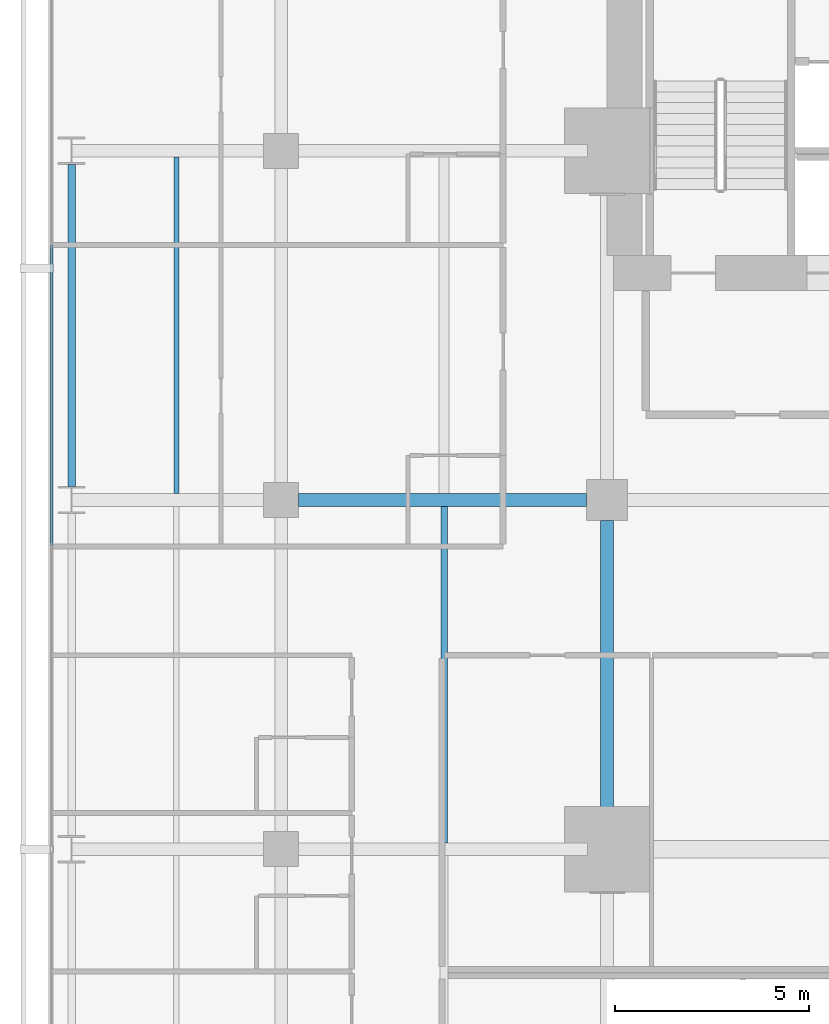
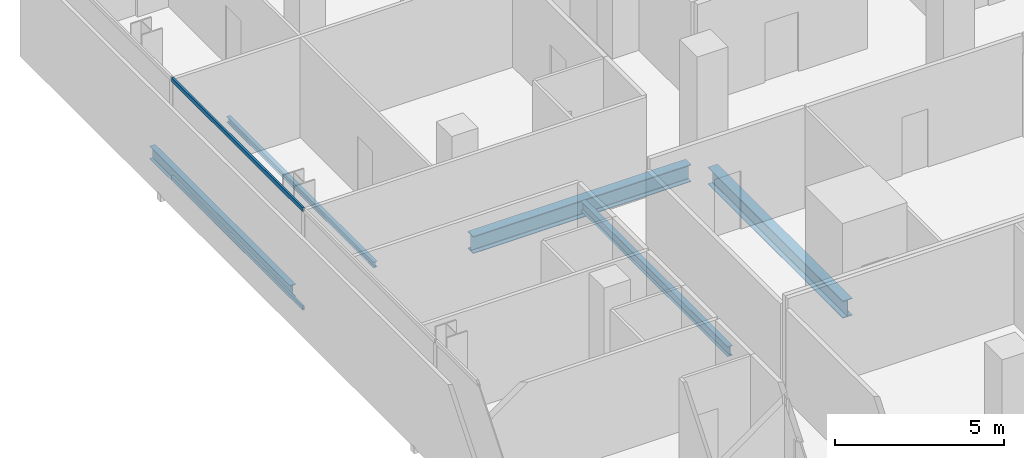
# One storey, part 22 of 41: 5 beams, 2 members, 1 element without a shape of its own.
"""IFC4 building model written with IfcOpenShell, lengths in metres."""

import ifcopenshell
import ifcopenshell.guid

model = None  # the IFC model being written
_history = None  # IfcOwnerHistory: only IFC2X3 demands one
_inside = {}  # id of a spatial element -> (the spatial element, [elements in it])
_under = {}  # id of a project, library or spatial element -> (it, [spatial elements below it])
_declared = {}  # id of a project -> (the project, [libraries it declares])
_typed = {}  # id of a type object -> (the type object, [elements of that type])
_made_of = {}  # id of a material, layer set ... -> (it, [elements and type objects made of it])


def new_model(schema):
    """Start an empty IFC model of exactly this schema.

    Asked for "IFC4X3", IfcOpenShell would pick the latest addendum, in which some entities
    have other attributes; the version numbers below select the first issue.
    IFC2X3 requires an IfcOwnerHistory on every rooted entity: one is made here for all.
    """
    global model, _history
    if schema == "IFC4X3":
        model = ifcopenshell.file(schema_version=(4, 3, 0, 0))
    else:
        model = ifcopenshell.file(schema=schema)
    _inside.clear()
    _under.clear()
    _declared.clear()
    _typed.clear()
    _made_of.clear()
    _history = None
    if model.schema == "IFC2X3":
        org = make("IfcOrganization", Name="unknown")
        user = make(
            "IfcPersonAndOrganization",
            ThePerson=make("IfcPerson", FamilyName="unknown"),
            TheOrganization=org,
        )
        app = make(
            "IfcApplication",
            ApplicationDeveloper=org,
            Version="unknown",
            ApplicationFullName="unknown",
            ApplicationIdentifier="unknown",
        )
        _history = make(
            "IfcOwnerHistory",
            OwningUser=user,
            OwningApplication=app,
            ChangeAction="ADDED",
            CreationDate=0,
        )
    return model


def make(cls, **values):
    """One entity of the class cls with the attributes given. An attribute that is None is left unset."""
    return model.create_entity(
        cls, **{name: value for name, value in values.items() if value is not None}
    )


def rooted(cls, **values):
    """An entity with a GlobalId (a new one), such as an element, a storey or a relation."""
    return make(cls, GlobalId=ifcopenshell.guid.new(), OwnerHistory=_history, **values)


def si_unit(unit_type, name, prefix=None):
    """IfcSIUnit, for example si_unit("LENGTHUNIT", "METRE", prefix="MILLI")."""
    return make("IfcSIUnit", UnitType=unit_type, Prefix=prefix, Name=name)


def assignment(units):
    """IfcUnitAssignment: the units of a project."""
    return None if units is None else make("IfcUnitAssignment", Units=units)


def point(xyz):
    """IfcCartesianPoint."""
    return None if xyz is None else make("IfcCartesianPoint", Coordinates=xyz)


def direction(xyz):
    """IfcDirection."""
    return None if xyz is None else make("IfcDirection", DirectionRatios=xyz)


def frame(location, z_axis=None, x_axis=None):
    """IfcAxis2Placement3D, a coordinate frame: its origin and axes. An axis left out is left unset."""
    return make(
        "IfcAxis2Placement3D",
        Location=point(location),
        Axis=direction(z_axis),
        RefDirection=direction(x_axis),
    )


def frame_2d(location, x_axis=None):
    """IfcAxis2Placement2D, a coordinate frame in the plane: its origin and x axis."""
    return make(
        "IfcAxis2Placement2D", Location=point(location), RefDirection=direction(x_axis)
    )


def origin():
    """The frame at (0, 0, 0) with its axes left unset."""
    return frame((0.0, 0.0, 0.0))


def origin_2d():
    """The frame at (0, 0) in the plane with its x axis left unset."""
    return frame_2d((0.0, 0.0))


def place(relative_to, where):
    """IfcLocalPlacement: puts the frame where relative to a parent placement (None: the world)."""
    return make(
        "IfcLocalPlacement", PlacementRelTo=relative_to, RelativePlacement=where
    )


def context(
    kind, dimensions, precision=None, world=None, true_north=None, identifier=None
):
    """IfcGeometricRepresentationContext, for example the 3D "Model" context."""
    return make(
        "IfcGeometricRepresentationContext",
        ContextIdentifier=identifier,
        ContextType=kind,
        CoordinateSpaceDimension=dimensions,
        Precision=precision,
        WorldCoordinateSystem=world,
        TrueNorth=true_north,
    )


def subcontext(parent, identifier, kind, view, scale=None):
    """IfcGeometricRepresentationSubContext, for example "Body" below "Model"."""
    return make(
        "IfcGeometricRepresentationSubContext",
        ContextIdentifier=identifier,
        ContextType=kind,
        ParentContext=parent,
        TargetScale=scale,
        TargetView=view,
    )


def project(units=None, contexts=None):
    """IfcProject with its units and contexts."""
    return rooted(
        "IfcProject",
        Name="project",
        RepresentationContexts=contexts,
        UnitsInContext=assignment(units),
    )


def spatial(cls, under=None, at=None, **own):
    """A site, building, storey or space (cls), placed at a placement, below another one or the project."""
    s = rooted(cls, ObjectPlacement=at, **own)
    if under is not None:
        _under.setdefault(under.id(), (under, []))[1].append(s)
    return s


def profile(cls, at=None, kind="AREA", **sizes):
    """A parametric profile (cls). Its sizes go by their IFC names, for example OverallWidth=200.0."""
    return make(cls, ProfileType=kind, Position=at, **sizes)


def hollow_rectangle(**sizes):
    """IfcRectangleHollowProfileDef."""
    return profile("IfcRectangleHollowProfileDef", **sizes)


def i_section(**sizes):
    """IfcIShapeProfileDef."""
    return profile("IfcIShapeProfileDef", **sizes)


def extrude(swept, where, along, depth):
    """IfcExtrudedAreaSolid: the profile swept, set in the frame where, extruded along a direction by depth."""
    return make(
        "IfcExtrudedAreaSolid",
        SweptArea=swept,
        Position=where,
        ExtrudedDirection=direction(along),
        Depth=depth,
    )


def shape(context_of_items, identifier, shape_type, items):
    """IfcShapeRepresentation: the items that make up one representation, for example the "Body"."""
    return make(
        "IfcShapeRepresentation",
        ContextOfItems=context_of_items,
        RepresentationIdentifier=identifier,
        RepresentationType=shape_type,
        Items=items,
    )


def material(Name=None, Category=None):
    """IfcMaterial."""
    return make("IfcMaterial", Name=Name, Category=Category)


def layer(
    of_material, thickness, ventilated=None, Name=None, Category=None, Priority=None
):
    """IfcMaterialLayer: one layer of a wall or slab, of a material (None: an air gap)."""
    return make(
        "IfcMaterialLayer",
        Material=of_material,
        LayerThickness=thickness,
        IsVentilated=ventilated,
        Name=Name,
        Category=Category,
        Priority=Priority,
    )


def layer_set(layers, Name=None):
    """IfcMaterialLayerSet."""
    return make("IfcMaterialLayerSet", MaterialLayers=layers, LayerSetName=Name)


def material_profile(
    of_material, cross_section, Name=None, Category=None, Priority=None
):
    """IfcMaterialProfile: a cross section and its material."""
    return make(
        "IfcMaterialProfile",
        Name=Name,
        Material=of_material,
        Profile=cross_section,
        Priority=Priority,
        Category=Category,
    )


def profile_set(profiles, Name=None, composite=None):
    """IfcMaterialProfileSet."""
    return make(
        "IfcMaterialProfileSet",
        Name=Name,
        MaterialProfiles=profiles,
        CompositeProfile=composite,
    )


def made_of(thing, what):
    """Note that an element or type object is made of a material, layer set ...; save() writes the relation."""
    if what is not None:
        _made_of.setdefault(what.id(), (what, []))[1].append(thing)
    return thing


def type_object(cls, material=None, **own):
    """A type object (cls), such as IfcWallType, which elements share."""
    return made_of(rooted(cls, **own), material)


def element(
    cls,
    number,
    at=None,
    inside=None,
    cuts=None,
    type_object=None,
    material=None,
    context=None,
    identifier="Body",
    shape_type=None,
    held_by="IfcProductDefinitionShape",
    body=None,
    shapes=None,
    **own,
):
    """One element of the class cls, such as IfcWall. Its Tag is "e" and its number.

    at: its placement. inside: the storey or other place that contains it. cuts: it is an
    opening in that element (IfcRelVoidsElement). A single representation is given by context,
    identifier, shape_type and body (its items); several are given by shapes. held_by: the class
    of the entity that holds the representations. save() writes the other relations.
    """
    e = rooted(cls, Tag="e%d" % number, ObjectPlacement=at, **own)
    if body is not None:
        shapes = [shape(context, identifier, shape_type, body)]
    if shapes is not None:
        e.Representation = make(held_by, Representations=shapes)
    if inside is not None:
        _inside.setdefault(inside.id(), (inside, []))[1].append(e)
    if cuts is not None:
        rooted(
            "IfcRelVoidsElement", RelatingBuildingElement=cuts, RelatedOpeningElement=e
        )
    if type_object is not None:
        _typed.setdefault(type_object.id(), (type_object, []))[1].append(e)
    return made_of(e, material)


def aggregate(whole, parts):
    """IfcRelAggregates: a whole, such as a stair, and the parts it consists of."""
    return rooted("IfcRelAggregates", RelatingObject=whole, RelatedObjects=parts)


def save(model, path):
    """Write the relations noted so far, then the file.

    IfcRelAggregates (storeys below a building ...), IfcRelContainedInSpatialStructure (elements
    in a storey), IfcRelDefinesByType, IfcRelAssociatesMaterial and IfcRelDeclares: one each for
    every whole, place, type object, material and project.
    """
    for whole, parts in _under.values():
        aggregate(whole, parts)
    for where, things in _inside.values():
        rooted(
            "IfcRelContainedInSpatialStructure",
            RelatedElements=things,
            RelatingStructure=where,
        )
    for kind, things in _typed.values():
        rooted("IfcRelDefinesByType", RelatedObjects=things, RelatingType=kind)
    for what, things in _made_of.values():
        rooted("IfcRelAssociatesMaterial", RelatedObjects=things, RelatingMaterial=what)
    for by, libraries in _declared.values():
        rooted("IfcRelDeclares", RelatingContext=by, RelatedDefinitions=libraries)
    model.write(path)


model = new_model("IFC4")

# Units and contexts
model_context = context("Model", 3, precision=1e-05, world=origin(), true_north=direction((0.0, 1.0)))
body_context = subcontext(model_context, "Body", "Model", "MODEL_VIEW")
ifc_project = project(units=[si_unit("LENGTHUNIT", "METRE"), si_unit("AREAUNIT", "SQUARE_METRE"), si_unit("VOLUMEUNIT", "CUBIC_METRE"), si_unit("PLANEANGLEUNIT", "RADIAN"), si_unit("MASSUNIT", "GRAM", prefix="KILO")], contexts=[model_context])

# Site, building, storey
site_placement = place(None, origin())
site = spatial("IfcSite", under=ifc_project, at=site_placement, CompositionType="ELEMENT")
building_placement = place(site_placement, origin())
building = spatial("IfcBuilding", under=site, at=building_placement, Name="Maruvema Waterfront Hotel and Observation Tower", CompositionType="ELEMENT")
storey_placement = place(building_placement, frame((0.0, 0.0, 61.60009765625)))
storey = spatial("IfcBuildingStorey", under=building, at=storey_placement, Name="L14", CompositionType="ELEMENT", Elevation=61.60009765625)

# Curtain wall, members
ifc_material_1 = material(Name="Anodised bronze aluminium and solar-control low-E IGU", Category="aluminium")
ifc_layer = layer(ifc_material_1, 0.159912109375, Name="Zone 1 Bronze Inner Thermal Curtain Wall System CW-02")
ifc_layer_set = layer_set([ifc_layer], Name="Anodised bronze aluminium and solar-control low-E IGU")
curtain_wall_type = type_object("IfcCurtainWallType", Name="Zone 1 Bronze Inner Thermal Curtain Wall System CW-02", PredefinedType="USERDEFINED", material=ifc_layer_set)
curtain_wall_placement = place(storey_placement, origin())
curtain_wall = element("IfcCurtainWall", 1, at=curtain_wall_placement, inside=storey, type_object=curtain_wall_type, Name="L14 Curtain Wall CW-L14-W", ObjectType="UNITISED CURTAIN WALL", PredefinedType="USERDEFINED")
ifc_material_2 = material(Name="Anodised architectural bronze aluminium", Category="aluminium")
ifc_material_profile_1 = material_profile(ifc_material_2, hollow_rectangle(XDim=0.070068359375, YDim=0.14990234375, WallThickness=0.00390625, at=origin_2d()), Name="ALU-T70x150")
ifc_profile_set_1 = profile_set([ifc_material_profile_1], Name="Anodised architectural bronze aluminium")
member_type = type_object("IfcMemberType", Name="Curtain Wall Horizontal Transom ALU-T70x150", PredefinedType="USERDEFINED", material=ifc_profile_set_1)
member_1_placement = place(storey_placement, frame((10.8798828125, 42.570068359375, 0.02978515625), z_axis=(0.0, -1.0, 0.0), x_axis=(1.0, 0.0, 0.0)))
member_1 = element("IfcMember", 2, at=member_1_placement, type_object=member_type, Name="CW-02 transom 2.1", ObjectType="TRANSOM", PredefinedType="USERDEFINED", context=body_context, shape_type="SweptSolid", body=[
    extrude(hollow_rectangle(XDim=0.070068359375, YDim=0.14990234375, WallThickness=0.00390625, at=origin_2d()), origin(), (0.0, 0.0, 1.0), 7.739990234375),
])
member_2_placement = place(storey_placement, frame((10.8798828125, 42.570068359375, 3.579833984375), z_axis=(0.0, -1.0, 0.0), x_axis=(1.0, 0.0, 0.0)))
member_2 = element("IfcMember", 3, at=member_2_placement, type_object=member_type, Name="CW-02 transom 2.2", ObjectType="TRANSOM", PredefinedType="USERDEFINED", context=body_context, shape_type="SweptSolid", body=[
    extrude(hollow_rectangle(XDim=0.070068359375, YDim=0.14990234375, WallThickness=0.00390625, at=origin_2d()), origin(), (0.0, 0.0, 1.0), 7.739990234375),
])
aggregate(curtain_wall, [member_1, member_2])

# Beams
ifc_material_3 = material(Name="Steel ASTM A572 Grade 50", Category="steel")
ifc_material_profile_2 = material_profile(ifc_material_3, i_section(OverallWidth=0.18994140625, OverallDepth=0.45703125, WebThickness=0.009033203125, FlangeThickness=0.014404296875, FilletRadius=0.014892578125, at=origin_2d()), Name="W460x74.0")
ifc_profile_set_2 = profile_set([ifc_material_profile_2], Name="Steel ASTM A572 Grade 50")
beam_type_1 = type_object("IfcBeamType", Name="Perimeter Spandrel Beam W460x74.0", PredefinedType="SPANDREL", material=ifc_profile_set_2)
beam_1_placement = place(storey_placement, frame((11.39990234375, 36.35009765625, -0.468505859375), z_axis=(0.0, 1.0, 0.0), x_axis=(-1.0, 0.0, 0.0)))
element("IfcBeam", 4, at=beam_1_placement, inside=storey, type_object=beam_type_1, Name="L14 Floor Girder NS-04", PredefinedType="SPANDREL", context=body_context, shape_type="SweptSolid", body=[
    extrude(i_section(OverallWidth=0.18994140625, OverallDepth=0.45703125, WebThickness=0.009033203125, FlangeThickness=0.014404296875, FilletRadius=0.014892578125, at=origin_2d()), origin(), (0.0, 0.0, 1.0), 8.2998046875),
])
ifc_material_4 = material(Name="Steel ASTM A572 Grade 50", Category="steel")
ifc_material_profile_3 = material_profile(ifc_material_4, i_section(OverallWidth=0.326904296875, OverallDepth=0.6220703125, WebThickness=0.015380859375, FlangeThickness=0.0244140625, FilletRadius=0.01806640625, at=origin_2d()), Name="W610x195.0")
ifc_profile_set_3 = profile_set([ifc_material_profile_3], Name="Steel ASTM A572 Grade 50")
beam_type_2 = type_object("IfcBeamType", Name="Primary Floor Girder W610x195.0", PredefinedType="BEAM", material=ifc_profile_set_3)
beam_2_placement = place(storey_placement, frame((17.25, 36.0, -0.551025390625), z_axis=(1.0, 0.0, 0.0), x_axis=(0.0, 1.0, 0.0)))
element("IfcBeam", 5, at=beam_2_placement, inside=storey, type_object=beam_type_2, Name="L14 Floor Girder EW-26", PredefinedType="BEAM", context=body_context, shape_type="SweptSolid", body=[
    extrude(i_section(OverallWidth=0.326904296875, OverallDepth=0.6220703125, WebThickness=0.015380859375, FlangeThickness=0.0244140625, FilletRadius=0.01806640625, at=origin_2d()), origin(), (0.0, 0.0, 1.0), 7.425048828125),
])
beam_3_placement = place(storey_placement, frame((25.199951171875, 27.5, -0.551025390625), z_axis=(0.0, 1.0, 0.0), x_axis=(-1.0, 0.0, 0.0)))
element("IfcBeam", 6, at=beam_3_placement, inside=storey, type_object=beam_type_2, Name="L14 Floor Girder NS-14", PredefinedType="BEAM", context=body_context, shape_type="SweptSolid", body=[
    extrude(i_section(OverallWidth=0.326904296875, OverallDepth=0.6220703125, WebThickness=0.015380859375, FlangeThickness=0.0244140625, FilletRadius=0.01806640625, at=origin_2d()), origin(), (0.0, 0.0, 1.0), 7.97509765625),
])
ifc_material_5 = material(Name="Steel ASTM A572 Grade 50", Category="steel")
ifc_material_profile_4 = material_profile(ifc_material_5, i_section(OverallWidth=0.133056640625, OverallDepth=0.20703125, WebThickness=0.005859375, FlangeThickness=0.00830078125, FilletRadius=0.010009765625, at=origin_2d()), Name="W200x26.6")
ifc_profile_set_4 = profile_set([ifc_material_profile_4], Name="Steel ASTM A572 Grade 50")
beam_type_3 = type_object("IfcBeamType", Name="Secondary Floor Joist W200x26.6", PredefinedType="JOIST", material=ifc_profile_set_4)
beam_4_placement = place(storey_placement, frame((14.10009765625, 36.16357421875, -0.343505859375), z_axis=(0.0, 1.0, 0.0), x_axis=(-1.0, 0.0, 0.0)))
element("IfcBeam", 7, at=beam_4_placement, inside=storey, type_object=beam_type_3, Name="L14 Secondary Floor Joist JS-04", PredefinedType="JOIST", context=body_context, shape_type="SweptSolid", body=[
    extrude(i_section(OverallWidth=0.133056640625, OverallDepth=0.20703125, WebThickness=0.005859375, FlangeThickness=0.00830078125, FilletRadius=0.010009765625, at=origin_2d()), origin(), (0.0, 0.0, 1.0), 8.6728515625),
])
ifc_material_6 = material(Name="Steel ASTM A572 Grade 50", Category="steel")
ifc_material_profile_5 = material_profile(ifc_material_6, i_section(OverallWidth=0.1708984375, OverallDepth=0.35498046875, WebThickness=0.007080078125, FlangeThickness=0.01171875, FilletRadius=0.014892578125, at=origin_2d()), Name="W360x51.0")
ifc_profile_set_5 = profile_set([ifc_material_profile_5], Name="Steel ASTM A572 Grade 50")
beam_type_4 = type_object("IfcBeamType", Name="Secondary Floor Joist W360x51.0", PredefinedType="JOIST", material=ifc_profile_set_5)
beam_5_placement = place(storey_placement, frame((21.0, 27.16357421875, -0.41748046875), z_axis=(0.0, 1.0, 0.0), x_axis=(-1.0, 0.0, 0.0)))
element("IfcBeam", 8, at=beam_5_placement, inside=storey, type_object=beam_type_4, Name="L14 Secondary Floor Joist JS-08", PredefinedType="JOIST", context=body_context, shape_type="SweptSolid", body=[
    extrude(i_section(OverallWidth=0.1708984375, OverallDepth=0.35498046875, WebThickness=0.007080078125, FlangeThickness=0.01171875, FilletRadius=0.014892578125, at=origin_2d()), origin(), (0.0, 0.0, 1.0), 8.6728515625),
])

save(model, "model.ifc")
